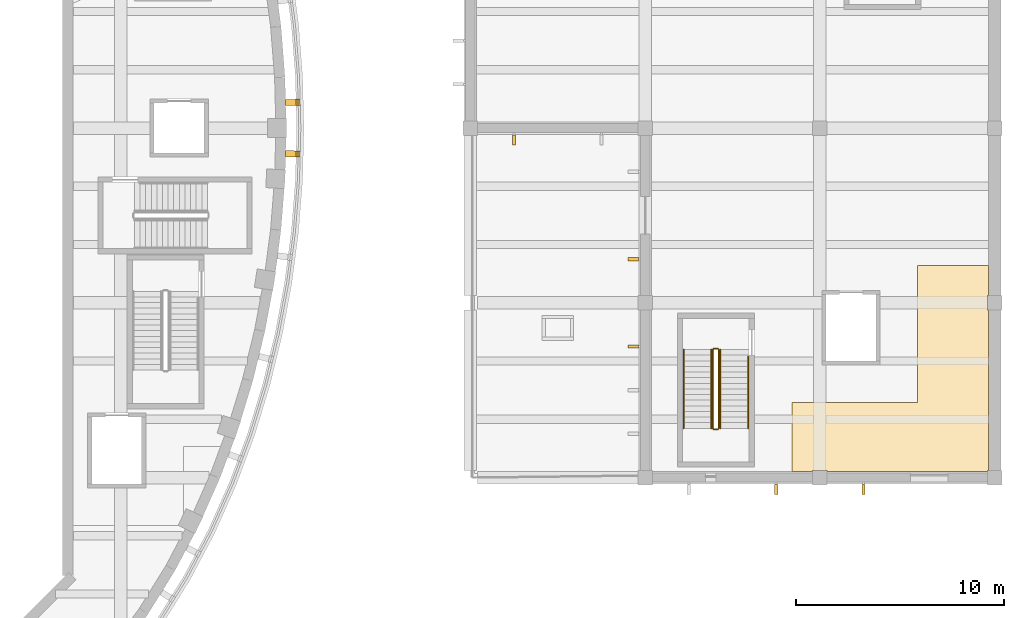
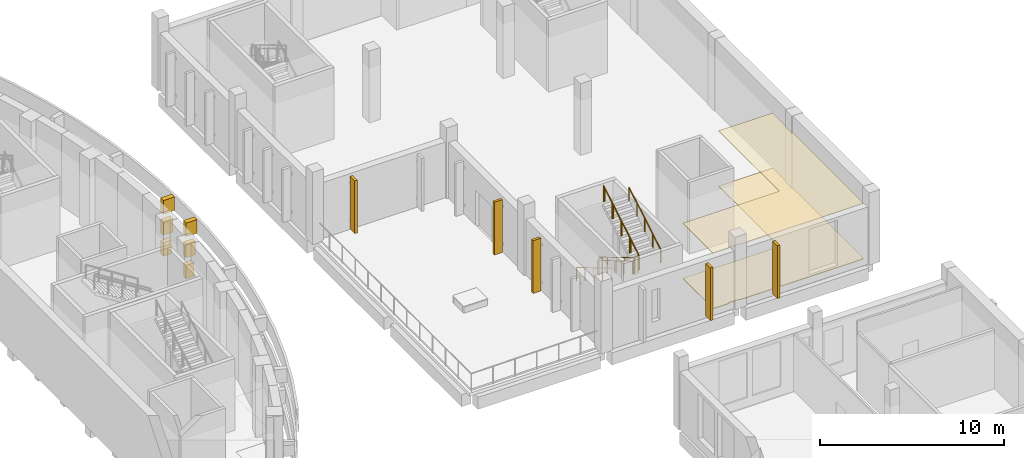
# One storey, part 99 of 103: 13 coverings, 8 railings.
"""IFC4 building model written with IfcOpenShell, lengths in metres."""

from ifc_helpers import new_model, si_unit, direction, frame, origin, origin_2d, place, context, subcontext, project, spatial, polyline, rectangle, circle, outline, extrude, material, layer, layer_set, type_object, element, save


model = new_model("IFC4")

# Units and contexts
model_context = context("Model", 3, precision=1e-05, world=origin(), true_north=direction((0.0, 1.0)))
body_context = subcontext(model_context, "Body", "Model", "MODEL_VIEW")
ifc_project = project(units=[si_unit("LENGTHUNIT", "METRE"), si_unit("AREAUNIT", "SQUARE_METRE"), si_unit("VOLUMEUNIT", "CUBIC_METRE"), si_unit("PLANEANGLEUNIT", "RADIAN"), si_unit("MASSUNIT", "GRAM", prefix="KILO")], contexts=[model_context])

# Site, building, storey
site_placement = place(None, origin())
site = spatial("IfcSite", under=ifc_project, at=site_placement, CompositionType="ELEMENT")
building_placement = place(site_placement, origin())
building = spatial("IfcBuilding", under=site, at=building_placement, Name="Larchfold Concert Hall", CompositionType="ELEMENT")
storey_placement = place(building_placement, frame((0.0, 0.0, 9.60009765625)))
storey = spatial("IfcBuildingStorey", under=building, at=storey_placement, Name="L02", CompositionType="ELEMENT", Elevation=9.60009765625)

# Coverings
ifc_material_1 = material(Name="Plasterboard ceiling lining")
ifc_layer_1 = layer(ifc_material_1, 0.030029296875)
ifc_layer_set_1 = layer_set([ifc_layer_1], Name="Plasterboard ceiling lining")
covering_type_1 = type_object("IfcCoveringType", Name="Ceiling suspended plasterboard 30", PredefinedType="CEILING", material=ifc_layer_set_1)
covering_1_placement = place(storey_placement, frame((0.0, 0.0, 3.669921875)))
element("IfcCovering", 1, at=covering_1_placement, inside=storey, type_object=covering_type_1, Name="Ceiling Chamber Hall Balcony Foyer", PredefinedType="CEILING", context=body_context, shape_type="SweptSolid", body=[
    extrude(outline(polyline([(101.099853515625, 76.550048828125), (101.099853515625, 78.0), (97.699951171875, 78.0), (97.699951171875, 71.39990234375), (91.650146484375, 71.39990234375), (91.650146484375, 68.10009765625), (92.64990234375, 68.10009765625), (92.64990234375, 68.150146484375), (93.35009765625, 68.150146484375), (93.35009765625, 68.10009765625), (101.0498046875, 68.10009765625), (101.0498046875, 68.150146484375), (101.099853515625, 68.150146484375), (101.099853515625, 75.849853515625), (101.0498046875, 75.849853515625), (101.0498046875, 76.550048828125), (101.099853515625, 76.550048828125)])), origin(), (0.0, 0.0, 1.0), 0.030029296875),
])
ifc_material_2 = material(Name="Polished terrazzo")
ifc_layer_2 = layer(ifc_material_2, 0.0400390625)
ifc_layer_set_2 = layer_set([ifc_layer_2], Name="Polished terrazzo")
covering_type_2 = type_object("IfcCoveringType", Name="Floor finish terrazzo 40", PredefinedType="FLOORING", material=ifc_layer_set_2)
covering_2_placement = place(storey_placement, origin())
element("IfcCovering", 2, at=covering_2_placement, inside=storey, type_object=covering_type_2, Name="Floor finish Chamber Hall Balcony Foyer", PredefinedType="FLOORING", context=body_context, shape_type="SweptSolid", body=[
    extrude(outline(polyline([(101.099853515625, 76.550048828125), (101.099853515625, 78.0), (97.699951171875, 78.0), (97.699951171875, 71.39990234375), (91.650146484375, 71.39990234375), (91.650146484375, 68.10009765625), (92.64990234375, 68.10009765625), (92.64990234375, 68.150146484375), (93.35009765625, 68.150146484375), (93.35009765625, 68.10009765625), (101.0498046875, 68.10009765625), (101.0498046875, 68.150146484375), (101.099853515625, 68.150146484375), (101.099853515625, 75.849853515625), (101.0498046875, 75.849853515625), (101.0498046875, 76.550048828125), (101.099853515625, 76.550048828125)])), origin(), (0.0, 0.0, 1.0), 0.0400390625),
])
ifc_material_3 = material(Name="Glulam GL30c", Category="wood")
ifc_layer_3 = layer(ifc_material_3, 0.159912109375)
ifc_layer_set_3 = layer_set([ifc_layer_3], Name="Glulam GL30c")
covering_type_3 = type_object("IfcCoveringType", Name="Glulam fin 160x500", PredefinedType="CLADDING", material=ifc_layer_set_3)
covering_3_placement = place(storey_placement, frame((0.0, 0.0, 0.199951171875)))
element("IfcCovering", 3, at=covering_3_placement, inside=storey, type_object=covering_type_3, Name="Glulam fin FN-L02-037", PredefinedType="CLADDING", context=body_context, shape_type="SweptSolid", body=[
    extrude(outline(polyline([(78.3798828125, 83.775146484375), (78.3798828125, 84.275146484375), (78.219970703125, 84.275146484375), (78.219970703125, 83.775146484375), (78.3798828125, 83.775146484375)])), origin(), (0.0, 0.0, 1.0), 3.5),
])
covering_4_placement = place(storey_placement, frame((0.0, 0.0, 0.199951171875)))
element("IfcCovering", 4, at=covering_4_placement, inside=storey, type_object=covering_type_3, Name="Glulam fin FN-L02-039", PredefinedType="CLADDING", context=body_context, shape_type="SweptSolid", body=[
    extrude(outline(polyline([(84.275146484375, 78.219970703125), (84.275146484375, 78.3798828125), (83.775146484375, 78.3798828125), (83.775146484375, 78.219970703125), (84.275146484375, 78.219970703125)])), origin(), (0.0, 0.0, 1.0), 3.5),
])
covering_5_placement = place(storey_placement, frame((0.0, 0.0, 0.199951171875)))
element("IfcCovering", 5, at=covering_5_placement, inside=storey, type_object=covering_type_3, Name="Glulam fin FN-L02-043", PredefinedType="CLADDING", context=body_context, shape_type="SweptSolid", body=[
    extrude(outline(polyline([(84.275146484375, 74.02001953125), (84.275146484375, 74.179931640625), (83.775146484375, 74.179931640625), (83.775146484375, 74.02001953125), (84.275146484375, 74.02001953125)])), origin(), (0.0, 0.0, 1.0), 3.5),
])
covering_6_placement = place(storey_placement, frame((0.0, 0.0, 0.199951171875)))
element("IfcCovering", 6, at=covering_6_placement, inside=storey, type_object=covering_type_3, Name="Glulam fin FN-L02-045", PredefinedType="CLADDING", context=body_context, shape_type="SweptSolid", body=[
    extrude(outline(polyline([(90.97998046875, 66.97509765625), (90.97998046875, 67.47509765625), (90.820068359375, 67.47509765625), (90.820068359375, 66.97509765625), (90.97998046875, 66.97509765625)])), origin(), (0.0, 0.0, 1.0), 3.5),
])
covering_7_placement = place(storey_placement, frame((0.0, 0.0, 0.199951171875)))
element("IfcCovering", 7, at=covering_7_placement, inside=storey, type_object=covering_type_3, Name="Glulam fin FN-L02-046", PredefinedType="CLADDING", context=body_context, shape_type="SweptSolid", body=[
    extrude(outline(polyline([(95.179931640625, 66.97509765625), (95.179931640625, 67.47509765625), (95.02001953125, 67.47509765625), (95.02001953125, 66.97509765625), (95.179931640625, 66.97509765625)])), origin(), (0.0, 0.0, 1.0), 3.5),
])
ifc_material_4 = material(Name="Galvanised steel bracket", Category="steel")
ifc_layer_4 = layer(ifc_material_4, 0.300048828125)
ifc_layer_set_4 = layer_set([ifc_layer_4], Name="Galvanised steel bracket")
covering_type_4 = type_object("IfcCoveringType", Name="Ring support bracket", PredefinedType="CLADDING", material=ifc_layer_set_4)
for number, where, z_axis, x_axis, name in (
    (8, (67.568603515625, 85.82958984375, 1.349853515625), (0.0, 0.0, 1.0), (0.999668605926, 0.025742539211, 0.0), "Ring bracket BR-R03-01"),
    (9, (67.568115234375, 83.363037109375, 1.349853515625), (0.0, 0.0, 1.0), (0.999665014874, -0.025881615792, 0.0), "Ring bracket BR-R03-33"),
):
    element("IfcCovering", number, at=place(storey_placement, frame(where, z_axis=z_axis, x_axis=x_axis)), inside=storey, type_object=covering_type_4, Name=name, PredefinedType="CLADDING", context=body_context, shape_type="SweptSolid", body=[
        extrude(rectangle(XDim=0.5, YDim=0.300048828125, at=origin_2d()), origin(), (0.0, 0.0, 1.0), 0.89990234375),
    ])
for number, where, z_axis, x_axis, name in (
    (10, (67.618408203125, 85.830810546875, 2.75), (0.0, 0.0, 1.0), (0.999668605926, 0.025742539211, 0.0), "Ring bracket BR-R04-01"),
    (11, (67.6181640625, 83.36181640625, 2.75), (0.0, 0.0, 1.0), (0.999665014874, -0.025881615792, 0.0), "Ring bracket BR-R04-33"),
):
    element("IfcCovering", number, at=place(storey_placement, frame(where, z_axis=z_axis, x_axis=x_axis)), inside=storey, type_object=covering_type_4, Name=name, PredefinedType="CLADDING", context=body_context, shape_type="SweptSolid", body=[
        extrude(rectangle(XDim=0.60009765625, YDim=0.300048828125, at=origin_2d()), origin(), (0.0, 0.0, 1.0), 0.89990234375),
    ])
for number, where, z_axis, x_axis, name in (
    (12, (67.66845703125, 85.83203125, 4.14990234375), (0.0, 0.0, 1.0), (0.999668605926, 0.025742539211, 0.0), "Ring bracket BR-R05-01"),
    (13, (67.668212890625, 83.3603515625, 4.14990234375), (0.0, 0.0, 1.0), (0.999665014874, -0.025881615792, 0.0), "Ring bracket BR-R05-33"),
):
    element("IfcCovering", number, at=place(storey_placement, frame(where, z_axis=z_axis, x_axis=x_axis)), inside=storey, type_object=covering_type_4, Name=name, PredefinedType="CLADDING", context=body_context, shape_type="SweptSolid", body=[
        extrude(rectangle(XDim=0.699951171875, YDim=0.300048828125, at=origin_2d()), origin(), (0.0, 0.0, 1.0), 0.89990234375),
    ])

# Railings
ifc_material_5 = material(Name="Stainless steel balustrade", Category="steel")
railing_type_1 = type_object("IfcRailingType", Name="Stair guard 1100", PredefinedType="GUARDRAIL", material=ifc_material_5)
railing_1_placement = place(storey_placement, frame((87.849853515625, 73.949951171875, 0.159912109375)))
element("IfcRailing", 14, at=railing_1_placement, inside=storey, type_object=railing_type_1, Name="Guard GR0064", PredefinedType="GUARDRAIL", context=body_context, shape_type="SweptSolid", body=[
    extrude(circle(Radius=0.02392578125, at=origin_2d()), frame((0.0, 0.0, 1.076171875), z_axis=(0.0, -0.860294241299, 0.509797821089), x_axis=(1.0, 0.0, 0.0)), (0.0, 0.0, 1.0), 4.393798828125),
    extrude(circle(Radius=0.02099609375, at=origin_2d()), origin(), (0.0, 0.0, 1.0), 1.052001953125),
    extrude(circle(Radius=0.02099609375, at=origin_2d()), frame((0.0, -0.945068359375, 0.56005859375)), (0.0, 0.0, 1.0), 1.052001953125),
    extrude(circle(Radius=0.02099609375, at=origin_2d()), frame((0.0, -1.89013671875, 1.1201171875)), (0.0, 0.0, 1.0), 1.052001953125),
    extrude(circle(Radius=0.02099609375, at=origin_2d()), frame((0.0, -2.8349609375, 1.679931640625)), (0.0, 0.0, 1.0), 1.052001953125),
    extrude(circle(Radius=0.02099609375, at=origin_2d()), frame((0.0, -3.780029296875, 2.239990234375)), (0.0, 0.0, 1.0), 1.052001953125),
])
railing_2_placement = place(storey_placement, frame((87.89990234375, 70.119873046875, 2.39990234375)))
element("IfcRailing", 15, at=railing_2_placement, inside=storey, type_object=railing_type_1, Name="Guard GR0065", PredefinedType="GUARDRAIL", context=body_context, shape_type="SweptSolid", body=[
    extrude(circle(Radius=0.02392578125, at=origin_2d()), frame((0.0, 0.0, 1.076171875), z_axis=(1.0, 0.0, 0.0), x_axis=(0.0, 1.0, 0.0)), (0.0, 0.0, 1.0), 0.199951171875),
    extrude(circle(Radius=0.02099609375, at=origin_2d()), origin(), (0.0, 0.0, 1.0), 1.052001953125),
    extrude(circle(Radius=0.02099609375, at=origin_2d()), frame((0.199951171875, 0.0, 0.0)), (0.0, 0.0, 1.0), 1.052001953125),
])
railing_3_placement = place(storey_placement, frame((88.14990234375, 70.169921875, 2.559814453125)))
element("IfcRailing", 16, at=railing_3_placement, inside=storey, type_object=railing_type_1, Name="Guard GR0066", PredefinedType="GUARDRAIL", context=body_context, shape_type="SweptSolid", body=[
    extrude(circle(Radius=0.02392578125, at=origin_2d()), frame((0.0, 0.0, 1.076171875), z_axis=(0.0, 0.860294241299, 0.509797821089), x_axis=(-1.0, 0.0, 0.0)), (0.0, 0.0, 1.0), 4.393798828125),
    extrude(circle(Radius=0.02099609375, at=origin_2d()), origin(), (0.0, 0.0, 1.0), 1.052001953125),
    extrude(circle(Radius=0.02099609375, at=origin_2d()), frame((0.0, 0.945068359375, 0.56005859375)), (0.0, 0.0, 1.0), 1.052001953125),
    extrude(circle(Radius=0.02099609375, at=origin_2d()), frame((0.0, 1.89013671875, 1.1201171875)), (0.0, 0.0, 1.0), 1.052001953125),
    extrude(circle(Radius=0.02099609375, at=origin_2d()), frame((0.0, 2.8349609375, 1.679931640625)), (0.0, 0.0, 1.0), 1.052001953125),
    extrude(circle(Radius=0.02099609375, at=origin_2d()), frame((0.0, 3.780029296875, 2.239990234375)), (0.0, 0.0, 1.0), 1.052001953125),
])
railing_4_placement = place(storey_placement, frame((87.89990234375, 74.0, 0.0)))
element("IfcRailing", 17, at=railing_4_placement, inside=storey, type_object=railing_type_1, Name="Guard GR0067", PredefinedType="GUARDRAIL", context=body_context, shape_type="SweptSolid", body=[
    extrude(circle(Radius=0.02392578125, at=origin_2d()), frame((0.0, 0.0, 1.076171875), z_axis=(1.0, 0.0, 0.0), x_axis=(0.0, 1.0, 0.0)), (0.0, 0.0, 1.0), 0.199951171875),
    extrude(circle(Radius=0.02099609375, at=origin_2d()), origin(), (0.0, 0.0, 1.0), 1.052001953125),
    extrude(circle(Radius=0.02099609375, at=origin_2d()), frame((0.199951171875, 0.0, 0.0)), (0.0, 0.0, 1.0), 1.052001953125),
])
ifc_material_6 = material(Name="Stainless steel handrail", Category="steel")
railing_type_2 = type_object("IfcRailingType", Name="Stair handrail 900", PredefinedType="HANDRAIL", material=ifc_material_6)
railing_5_placement = place(storey_placement, frame((86.449951171875, 73.949951171875, 0.159912109375)))
element("IfcRailing", 18, at=railing_5_placement, inside=storey, type_object=railing_type_2, Name="Handrail HR0061", PredefinedType="HANDRAIL", context=body_context, shape_type="SweptSolid", body=[
    extrude(circle(Radius=0.02392578125, at=origin_2d()), frame((0.0, 0.0, 0.8759765625), z_axis=(0.0, -0.860294241299, 0.509797821089), x_axis=(1.0, 0.0, 0.0)), (0.0, 0.0, 1.0), 4.393798828125),
    extrude(circle(Radius=0.02099609375, at=origin_2d()), origin(), (0.0, 0.0, 1.0), 0.851806640625),
    extrude(circle(Radius=0.02099609375, at=origin_2d()), frame((0.0, -0.945068359375, 0.56005859375)), (0.0, 0.0, 1.0), 0.851806640625),
    extrude(circle(Radius=0.02099609375, at=origin_2d()), frame((0.0, -1.89013671875, 1.1201171875)), (0.0, 0.0, 1.0), 0.851806640625),
    extrude(circle(Radius=0.02099609375, at=origin_2d()), frame((0.0, -2.8349609375, 1.679931640625)), (0.0, 0.0, 1.0), 0.851806640625),
    extrude(circle(Radius=0.02099609375, at=origin_2d()), frame((0.0, -3.780029296875, 2.239990234375)), (0.0, 0.0, 1.0), 0.851806640625),
])
railing_6_placement = place(storey_placement, frame((89.5498046875, 70.169921875, 2.559814453125)))
element("IfcRailing", 19, at=railing_6_placement, inside=storey, type_object=railing_type_2, Name="Handrail HR0062", PredefinedType="HANDRAIL", context=body_context, shape_type="SweptSolid", body=[
    extrude(circle(Radius=0.02392578125, at=origin_2d()), frame((0.0, 0.0, 0.8759765625), z_axis=(0.0, 0.860289544411, 0.509805747101), x_axis=(-1.0, 0.0, 0.0)), (0.0, 0.0, 1.0), 3.9873046875),
    extrude(circle(Radius=0.02099609375, at=origin_2d()), origin(), (0.0, 0.0, 1.0), 0.851806640625),
    extrude(circle(Radius=0.02099609375, at=origin_2d()), frame((0.0, 0.857421875, 0.50830078125)), (0.0, 0.0, 1.0), 0.851806640625),
    extrude(circle(Radius=0.02099609375, at=origin_2d()), frame((0.0, 1.715087890625, 1.016357421875)), (0.0, 0.0, 1.0), 0.851806640625),
    extrude(circle(Radius=0.02099609375, at=origin_2d()), frame((0.0, 2.57275390625, 1.5244140625)), (0.0, 0.0, 1.0), 0.851806640625),
    extrude(circle(Radius=0.02099609375, at=origin_2d()), frame((0.0, 3.43017578125, 2.03271484375)), (0.0, 0.0, 1.0), 0.851806640625),
])
railing_7_placement = place(storey_placement, frame((87.77978515625, 73.949951171875, 0.159912109375)))
element("IfcRailing", 20, at=railing_7_placement, inside=storey, type_object=railing_type_2, Name="Handrail HR0063", PredefinedType="HANDRAIL", context=body_context, shape_type="SweptSolid", body=[
    extrude(circle(Radius=0.02392578125, at=origin_2d()), frame((0.0, 0.0, 0.8759765625), z_axis=(0.0, -0.860294241299, 0.509797821089), x_axis=(1.0, 0.0, 0.0)), (0.0, 0.0, 1.0), 4.393798828125),
    extrude(circle(Radius=0.02099609375, at=origin_2d()), origin(), (0.0, 0.0, 1.0), 0.851806640625),
    extrude(circle(Radius=0.02099609375, at=origin_2d()), frame((0.0, -0.945068359375, 0.56005859375)), (0.0, 0.0, 1.0), 0.851806640625),
    extrude(circle(Radius=0.02099609375, at=origin_2d()), frame((0.0, -1.89013671875, 1.1201171875)), (0.0, 0.0, 1.0), 0.851806640625),
    extrude(circle(Radius=0.02099609375, at=origin_2d()), frame((0.0, -2.8349609375, 1.679931640625)), (0.0, 0.0, 1.0), 0.851806640625),
    extrude(circle(Radius=0.02099609375, at=origin_2d()), frame((0.0, -3.780029296875, 2.239990234375)), (0.0, 0.0, 1.0), 0.851806640625),
])
railing_8_placement = place(storey_placement, frame((88.219970703125, 70.169921875, 2.559814453125)))
element("IfcRailing", 21, at=railing_8_placement, inside=storey, type_object=railing_type_2, Name="Handrail HR0064", PredefinedType="HANDRAIL", context=body_context, shape_type="SweptSolid", body=[
    extrude(circle(Radius=0.02392578125, at=origin_2d()), frame((0.0, 0.0, 0.8759765625), z_axis=(0.0, 0.860294241299, 0.509797821089), x_axis=(-1.0, 0.0, 0.0)), (0.0, 0.0, 1.0), 4.393798828125),
    extrude(circle(Radius=0.02099609375, at=origin_2d()), origin(), (0.0, 0.0, 1.0), 0.851806640625),
    extrude(circle(Radius=0.02099609375, at=origin_2d()), frame((0.0, 0.945068359375, 0.56005859375)), (0.0, 0.0, 1.0), 0.851806640625),
    extrude(circle(Radius=0.02099609375, at=origin_2d()), frame((0.0, 1.89013671875, 1.1201171875)), (0.0, 0.0, 1.0), 0.851806640625),
    extrude(circle(Radius=0.02099609375, at=origin_2d()), frame((0.0, 2.8349609375, 1.679931640625)), (0.0, 0.0, 1.0), 0.851806640625),
    extrude(circle(Radius=0.02099609375, at=origin_2d()), frame((0.0, 3.780029296875, 2.239990234375)), (0.0, 0.0, 1.0), 0.851806640625),
])

save(model, "model.ifc")
